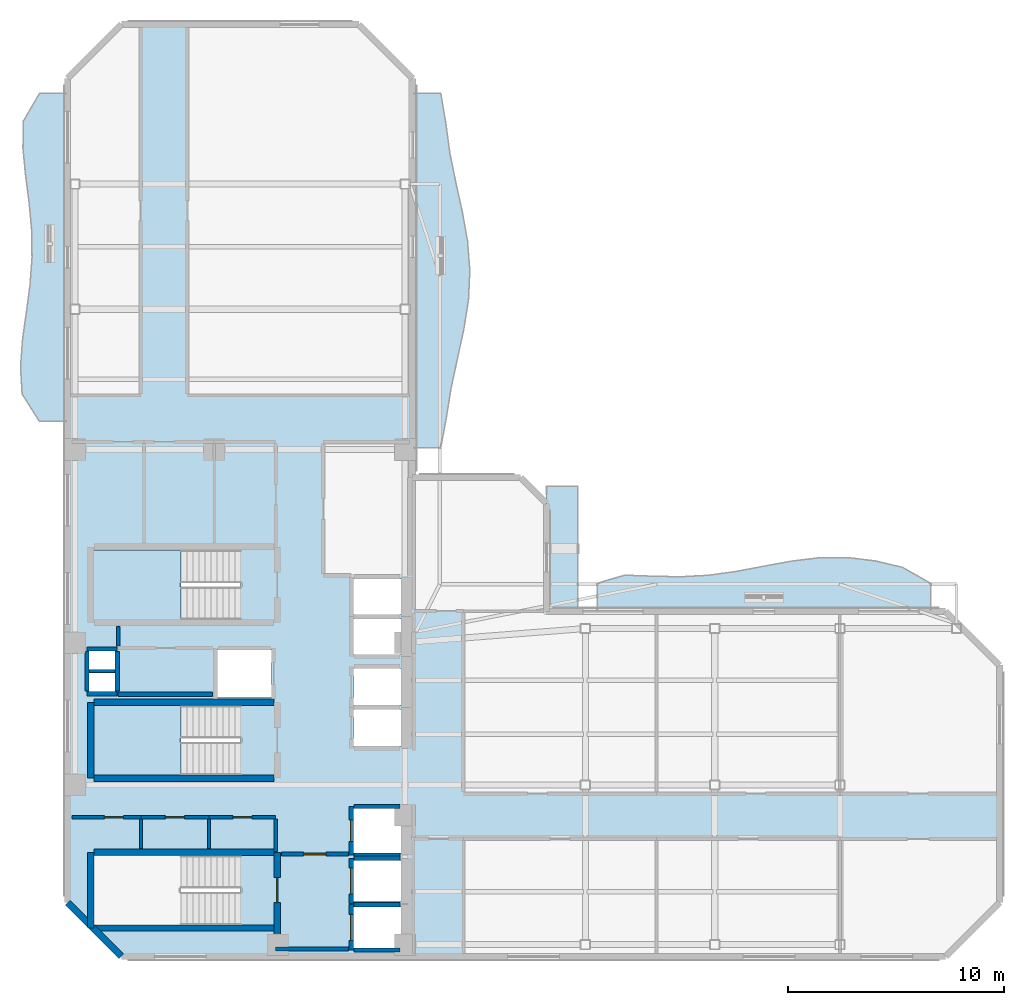
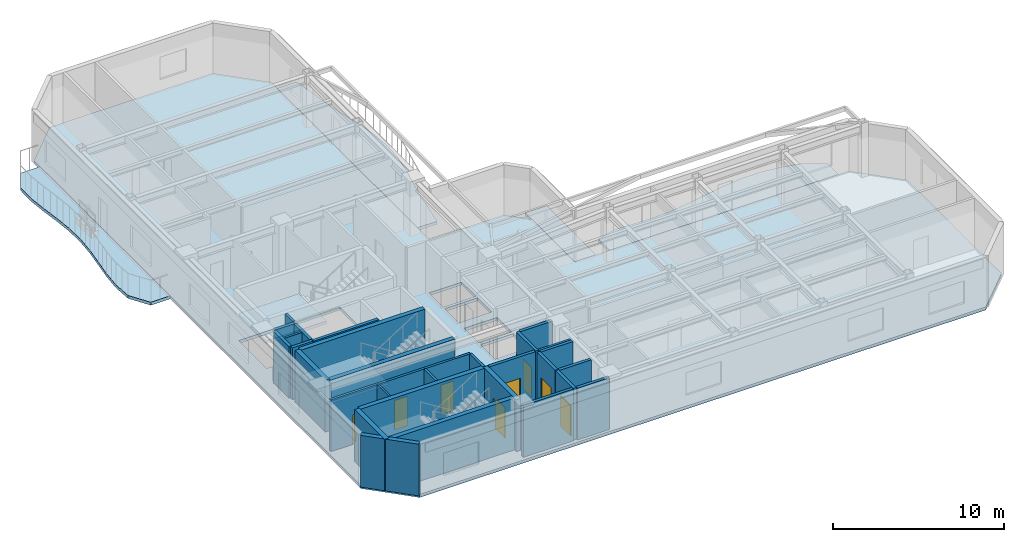
# One storey, part 2 of 11: 31 walls, 8 doors, 7 slabs, 8 openings, 2 elements without a shape of their own.
"""IFC4 building model written with IfcOpenShell, lengths in metres."""

from ifc_helpers import new_model, si_unit, direction, frame, frame_2d, origin, place, context, subcontext, project, spatial, polyline, rectangle, outline, extrude, material, layer, layer_set, type_object, element, fill, aggregate, save


model = new_model("IFC4")

# Units and contexts
model_context = context("Model", 3, precision=1e-05, world=origin(), true_north=direction((0.0, 1.0)))
body_context = subcontext(model_context, "Body", "Model", "MODEL_VIEW")
ifc_project = project(units=[si_unit("LENGTHUNIT", "METRE"), si_unit("AREAUNIT", "SQUARE_METRE"), si_unit("VOLUMEUNIT", "CUBIC_METRE"), si_unit("PLANEANGLEUNIT", "RADIAN"), si_unit("MASSUNIT", "GRAM", prefix="KILO")], contexts=[model_context])

# Site, building, storey
site_placement = place(None, origin())
site = spatial("IfcSite", under=ifc_project, at=site_placement, CompositionType="ELEMENT")
building_placement = place(site_placement, origin())
building = spatial("IfcBuilding", under=site, at=building_placement, Name="Mawjaban Terraces University", CompositionType="ELEMENT")
storey_placement = place(building_placement, frame((0.0, 0.0, 214.800048828125)))
storey = spatial("IfcBuildingStorey", under=building, at=storey_placement, Name="L52", CompositionType="ELEMENT", Elevation=214.800048828125)

# Slabs
ifc_material_1 = material(Name="Concrete C40/50", Category="concrete")
ifc_layer_1 = layer(ifc_material_1, 0.2099609375)
ifc_layer_set_1 = layer_set([ifc_layer_1], Name="Concrete C40/50")
slab_type_1 = type_object("IfcSlabType", Name="BalconySlab_210_Ext", PredefinedType="FLOOR", material=ifc_layer_set_1)
slab_1_placement = place(storey_placement, frame((0.0, 0.0, -0.2099609375)))
element("IfcSlab", 1, at=slab_1_placement, inside=storey, type_object=slab_type_1, Name="L52 Planted Balcony Slab west", PredefinedType="FLOOR", context=body_context, shape_type="SweptSolid", body=[
    extrude(outline(polyline([(22.010009765625, 24.800048828125), (22.010009765625, 40.0), (20.699951171875, 40.0), (19.95703125, 38.73291015625), (19.93505859375, 37.467041015625), (20.056884765625, 36.199951171875), (20.219970703125, 34.93310546875), (20.337890625, 33.6669921875), (20.35595703125, 32.39990234375), (20.262939453125, 31.133056640625), (20.093017578125, 29.866943359375), (19.9169921875, 28.60009765625), (19.822021484375, 27.3330078125), (19.89697265625, 26.06689453125), (20.699951171875, 24.800048828125), (22.010009765625, 24.800048828125)])), origin(), (0.0, 0.0, 1.0), 0.2099609375),
])
slab_2_placement = place(storey_placement, frame((0.0, 0.0, -0.2099609375)))
element("IfcSlab", 2, at=slab_2_placement, inside=storey, type_object=slab_type_1, Name="L52 Planted Balcony Slab inner_north", PredefinedType="FLOOR", context=body_context, shape_type="SweptSolid", body=[
    extrude(outline(polyline([(46.550048828125, 15.989990234375), (62.0, 15.989990234375), (62.0, 17.300048828125), (60.7119140625, 18.033935546875), (59.425048828125, 18.3359375), (58.137939453125, 18.489990234375), (56.85009765625, 18.47998046875), (55.56201171875, 18.326904296875), (54.27490234375, 18.089111328125), (52.987060546875, 17.845947265625), (51.699951171875, 17.6689453125), (50.412109375, 17.60009765625), (49.125, 17.625), (47.8369140625, 17.673095703125), (46.550048828125, 17.300048828125), (46.550048828125, 15.989990234375)])), origin(), (0.0, 0.0, 1.0), 0.2099609375),
])
slab_3_placement = place(storey_placement, frame((0.0, 0.0, -0.2099609375)))
element("IfcSlab", 3, at=slab_3_placement, inside=storey, type_object=slab_type_1, Name="L52 Planted Balcony Slab inner_east", PredefinedType="FLOOR", context=body_context, shape_type="SweptSolid", body=[
    extrude(outline(polyline([(39.300048828125, 23.5830078125), (39.554931640625, 24.950927734375), (39.77294921875, 26.319091796875), (40.06591796875, 27.68701171875), (40.364990234375, 29.054931640625), (40.5830078125, 30.423095703125), (40.64794921875, 31.791015625), (40.541015625, 33.159912109375), (40.2958984375, 34.528076171875), (39.991943359375, 35.89599609375), (39.718017578125, 37.263916015625), (39.531982421875, 38.632080078125), (39.300048828125, 40.0), (37.989990234375, 40.0), (37.989990234375, 23.5830078125), (39.300048828125, 23.5830078125)])), origin(), (0.0, 0.0, 1.0), 0.2099609375),
])
ifc_layer_2 = layer(ifc_material_1, 0.2099609375)
ifc_layer_set_2 = layer_set([ifc_layer_2], Name="Concrete C40/50")
slab_type_2 = type_object("IfcSlabType", Name="CompositeSlab_210", PredefinedType="FLOOR", material=ifc_layer_set_2)
slab_4_placement = place(storey_placement, frame((0.0, 0.0, -0.2099609375)))
element("IfcSlab", 4, at=slab_4_placement, inside=storey, type_object=slab_type_2, Name="L52 Primary Structural Slab", PredefinedType="FLOOR", context=body_context, shape_type="SweptSolid", body=[
    extrude(outline(polyline([(24.5, 0.0), (62.699951171875, 0.0), (65.199951171875, 2.5), (65.199951171875, 13.5), (62.699951171875, 16.0), (44.199951171875, 16.0), (44.199951171875, 21.0), (43.0, 22.199951171875), (38.0, 22.199951171875), (38.0, 40.699951171875), (35.5, 43.199951171875), (24.5, 43.199951171875), (22.0, 40.699951171875), (22.0, 2.5), (24.5, 0.0)]), holes=[polyline([(30.014892578125, 4.699951171875), (23.199951171875, 4.699951171875), (23.199951171875, 1.449951171875), (30.014892578125, 1.449951171875), (30.014892578125, 4.699951171875)]), polyline([(30.014892578125, 18.85009765625), (23.199951171875, 18.85009765625), (23.199951171875, 15.60009765625), (30.014892578125, 15.60009765625), (30.014892578125, 18.85009765625)]), polyline([(30.014892578125, 11.64990234375), (23.199951171875, 11.64990234375), (23.199951171875, 8.39990234375), (30.014892578125, 8.39990234375), (30.014892578125, 11.64990234375)]), polyline([(35.25, 0.39990234375), (37.449951171875, 0.39990234375), (37.449951171875, 2.300048828125), (35.25, 2.300048828125), (35.25, 0.39990234375)]), polyline([(35.25, 2.550048828125), (37.449951171875, 2.550048828125), (37.449951171875, 4.449951171875), (35.25, 4.449951171875), (35.25, 2.550048828125)]), polyline([(35.25, 4.800048828125), (37.449951171875, 4.800048828125), (37.449951171875, 6.85009765625), (35.25, 6.85009765625), (35.25, 4.800048828125)]), polyline([(35.25, 9.75), (37.449951171875, 9.75), (37.449951171875, 11.449951171875), (35.25, 11.449951171875), (35.25, 9.75)]), polyline([(35.25, 11.64990234375), (37.449951171875, 11.64990234375), (37.449951171875, 13.35009765625), (35.25, 13.35009765625), (35.25, 11.64990234375)]), polyline([(28.949951171875, 12.0), (31.449951171875, 12.0), (31.449951171875, 14.199951171875), (28.949951171875, 14.199951171875), (28.949951171875, 12.0)]), polyline([(35.25, 14.0), (37.449951171875, 14.0), (37.449951171875, 15.64990234375), (35.25, 15.64990234375), (35.25, 14.0)]), polyline([(35.25, 15.85009765625), (37.449951171875, 15.85009765625), (37.449951171875, 17.5), (35.25, 17.5), (35.25, 15.85009765625)]), polyline([(23.0, 12.25), (24.199951171875, 12.25), (24.199951171875, 13.14990234375), (23.0, 13.14990234375), (23.0, 12.25)]), polyline([(23.0, 13.300048828125), (24.199951171875, 13.300048828125), (24.199951171875, 14.179931640625), (23.0, 14.179931640625), (23.0, 13.300048828125)])]), origin(), (0.0, 0.0, 1.0), 0.2099609375),
])

# Stair, slab
stair_type = type_object("IfcStairType", Name="Stair_Core1550_H39", PredefinedType="HALF_TURN_STAIR", material=ifc_material_1)
stair_1_placement = place(storey_placement, origin())
stair_1 = element("IfcStair", 5, at=stair_1_placement, inside=storey, type_object=stair_type, Name="L52 Core Exit Stair 2", PredefinedType="HALF_TURN_STAIR")
ifc_layer_3 = layer(ifc_material_1, 0.199951171875)
ifc_layer_set_3 = layer_set([ifc_layer_3], Name="Concrete C40/50")
slab_type_3 = type_object("IfcSlabType", Name="StairLandingSlab_200", PredefinedType="LANDING", material=ifc_layer_set_3)
slab_5_placement = place(storey_placement, frame((0.0, 0.0, 1.75)))
slab_5 = element("IfcSlab", 6, at=slab_5_placement, type_object=slab_type_3, Name="ST-2 landing 1", PredefinedType="LANDING", context=body_context, shape_type="SweptSolid", body=[
    extrude(outline(polyline([(27.25, 18.85009765625), (23.199951171875, 18.85009765625), (23.199951171875, 15.60009765625), (27.25, 15.60009765625), (27.25, 18.85009765625)])), origin(), (0.0, 0.0, 1.0), 0.199951171875),
])
aggregate(stair_1, [slab_5])

stair_2_placement = place(storey_placement, origin())
stair_2 = element("IfcStair", 7, at=stair_2_placement, inside=storey, type_object=stair_type, Name="L52 Core Exit Stair 3", PredefinedType="HALF_TURN_STAIR")
slab_6_placement = place(storey_placement, frame((0.0, 0.0, 1.75)))
slab_6 = element("IfcSlab", 8, at=slab_6_placement, type_object=slab_type_3, Name="ST-3 landing 1", PredefinedType="LANDING", context=body_context, shape_type="SweptSolid", body=[
    extrude(outline(polyline([(27.25, 11.64990234375), (23.199951171875, 11.64990234375), (23.199951171875, 8.39990234375), (27.25, 8.39990234375), (27.25, 11.64990234375)])), origin(), (0.0, 0.0, 1.0), 0.199951171875),
])
aggregate(stair_2, [slab_6])

# Slab
ifc_layer_4 = layer(ifc_material_1, 0.2099609375)
ifc_layer_set_4 = layer_set([ifc_layer_4], Name="Concrete C40/50")
slab_type_4 = type_object("IfcSlabType", Name="StudyTerraceSlab_210_Ext", PredefinedType="FLOOR", material=ifc_layer_set_4)
slab_7_placement = place(storey_placement, frame((0.0, 0.0, -0.2099609375)))
element("IfcSlab", 9, at=slab_7_placement, inside=storey, type_object=slab_type_4, Name="L52 Exterior Study Terrace Slab", PredefinedType="FLOOR", context=body_context, shape_type="SweptSolid", body=[
    extrude(outline(polyline([(44.199951171875, 16.0), (45.64990234375, 16.0), (45.64990234375, 21.800048828125), (44.199951171875, 21.800048828125), (44.199951171875, 16.0)])), origin(), (0.0, 0.0, 1.0), 0.2099609375),
])

# Wall, opening, door
ifc_material_2 = material(Name="Fire-rated gypsum board on steel stud", Category="steel")
ifc_layer_5 = layer(ifc_material_2, 0.159912109375)
ifc_layer_set_5 = layer_set([ifc_layer_5], Name="Fire-rated gypsum board on steel stud")
wall_type_1 = type_object("IfcWallType", Name="CorridorPartition_160", PredefinedType="PARTITIONING", material=ifc_layer_set_5)
wall_1_placement = place(storey_placement, frame((22.199951171875, 6.449951171875, 0.0), z_axis=(0.0, 0.0, 1.0), x_axis=(1.0, 0.0, 0.0)))
wall_1 = element("IfcWall", 10, at=wall_1_placement, inside=storey, type_object=wall_type_1, Name="L52 Core Washroom Lobby Partition 1", PredefinedType="PARTITIONING", context=body_context, shape_type="SweptSolid", body=[
    extrude(rectangle(XDim=3.199951171875, YDim=0.159912109375, at=frame_2d((1.60009765625, 0.0))), origin(), (0.0, 0.0, 1.0), 3.68994140625),
])
opening_1_placement = place(wall_1_placement, frame((1.510009765625, 0.0, 0.0)))
opening_1 = element("IfcOpeningElement", 11, at=opening_1_placement, cuts=wall_1, Name="Opening ID-088", PredefinedType="OPENING", context=body_context, shape_type="SweptSolid", body=[
    extrude(rectangle(XDim=0.8798828125, YDim=2.10009765625, at=frame_2d((0.43994140625, 1.050048828125))), frame((0.0, 0.08984375, 0.0), z_axis=(0.0, -1.0, 0.0), x_axis=(1.0, 0.0, 0.0)), (0.0, 0.0, 1.0), 0.179931640625),
])
ifc_material_3 = material(Name="Powder-coated steel frame and solid acoustic timber leaf", Category="steel")
door_type_1 = type_object("IfcDoorType", Name="ToiletDoor_880x2100", OperationType="NOTDEFINED", PredefinedType="DOOR", material=ifc_material_3)
door_1_placement = place(opening_1_placement, origin())
door_1 = element("IfcDoor", 12, at=door_1_placement, inside=storey, type_object=door_type_1, Name="L52 Male Toilet Door", OperationType="SINGLE_SWING_LEFT", OverallHeight=2.10009765625, OverallWidth=0.8798828125, PredefinedType="DOOR", context=body_context, shape_type="SweptSolid", body=[
    extrude(rectangle(XDim=0.8798828125, YDim=2.10009765625, at=frame_2d((0.43994140625, 1.050048828125))), frame((0.0, 0.02490234375, 0.0), z_axis=(0.0, -1.0, 0.0), x_axis=(1.0, 0.0, 0.0)), (0.0, 0.0, 1.0), 0.050048828125),
])
fill(opening_1, door_1)

wall_2_placement = place(storey_placement, frame((25.39990234375, 6.449951171875, 0.0), z_axis=(0.0, 0.0, 1.0), x_axis=(1.0, 0.0, 0.0)))
wall_2 = element("IfcWall", 13, at=wall_2_placement, inside=storey, type_object=wall_type_1, Name="L52 Core Washroom Lobby Partition 4", PredefinedType="PARTITIONING", context=body_context, shape_type="SweptSolid", body=[
    extrude(rectangle(XDim=3.150146484375, YDim=0.159912109375, at=frame_2d((1.5751953125, 0.0))), origin(), (0.0, 0.0, 1.0), 3.68994140625),
])
opening_2_placement = place(wall_2_placement, frame((1.135009765625, 0.0, 0.0)))
opening_2 = element("IfcOpeningElement", 14, at=opening_2_placement, cuts=wall_2, Name="Opening ID-088", PredefinedType="OPENING", context=body_context, shape_type="SweptSolid", body=[
    extrude(rectangle(XDim=0.8798828125, YDim=2.10009765625, at=frame_2d((0.43994140625, 1.050048828125))), frame((0.0, 0.08984375, 0.0), z_axis=(0.0, -1.0, 0.0), x_axis=(1.0, 0.0, 0.0)), (0.0, 0.0, 1.0), 0.179931640625),
])
door_2_placement = place(opening_2_placement, origin())
door_2 = element("IfcDoor", 15, at=door_2_placement, inside=storey, type_object=door_type_1, Name="L52 Female Toilet Door", OperationType="SINGLE_SWING_RIGHT", OverallHeight=2.10009765625, OverallWidth=0.8798828125, PredefinedType="DOOR", context=body_context, shape_type="SweptSolid", body=[
    extrude(rectangle(XDim=0.8798828125, YDim=2.10009765625, at=frame_2d((0.43994140625, 1.050048828125))), frame((0.0, 0.02490234375, 0.0), z_axis=(0.0, -1.0, 0.0), x_axis=(1.0, 0.0, 0.0)), (0.0, 0.0, 1.0), 0.050048828125),
])
fill(opening_2, door_2)

wall_3_placement = place(storey_placement, frame((28.550048828125, 6.449951171875, 0.0), z_axis=(0.0, 0.0, 1.0), x_axis=(1.0, 0.0, 0.0)))
wall_3 = element("IfcWall", 16, at=wall_3_placement, inside=storey, type_object=wall_type_1, Name="L52 Core Washroom Lobby Partition 7", PredefinedType="PARTITIONING", context=body_context, shape_type="SweptSolid", body=[
    extrude(rectangle(XDim=3.099853515625, YDim=0.159912109375, at=frame_2d((1.5498046875, 0.0))), origin(), (0.0, 0.0, 1.0), 3.68994140625),
])
opening_3_placement = place(wall_3_placement, frame((1.110107421875, 0.0, 0.0)))
opening_3 = element("IfcOpeningElement", 17, at=opening_3_placement, cuts=wall_3, Name="Opening ID-088", PredefinedType="OPENING", context=body_context, shape_type="SweptSolid", body=[
    extrude(rectangle(XDim=0.8798828125, YDim=2.10009765625, at=frame_2d((0.43994140625, 1.050048828125))), frame((0.0, 0.08984375, 0.0), z_axis=(0.0, -1.0, 0.0), x_axis=(1.0, 0.0, 0.0)), (0.0, 0.0, 1.0), 0.179931640625),
])
door_3_placement = place(opening_3_placement, origin())
door_3 = element("IfcDoor", 18, at=door_3_placement, inside=storey, type_object=door_type_1, Name="L52 Accessible Toilet Door", OperationType="SINGLE_SWING_LEFT", OverallHeight=2.10009765625, OverallWidth=0.8798828125, PredefinedType="DOOR", context=body_context, shape_type="SweptSolid", body=[
    extrude(rectangle(XDim=0.8798828125, YDim=2.10009765625, at=frame_2d((0.43994140625, 1.050048828125))), frame((0.0, 0.02490234375, 0.0), z_axis=(0.0, -1.0, 0.0), x_axis=(1.0, 0.0, 0.0)), (0.0, 0.0, 1.0), 0.050048828125),
])
fill(opening_3, door_3)

# Walls
wall_4_placement = place(storey_placement, frame((24.35009765625, 15.2900390625, 0.0), z_axis=(0.0, 0.0, 1.0), x_axis=(0.0, -1.0, 0.0)))
element("IfcWall", 19, at=wall_4_placement, inside=storey, type_object=wall_type_1, Name="L52 Core Riser Access Passage Partition 24", PredefinedType="PARTITIONING", context=body_context, shape_type="SweptSolid", body=[
    extrude(rectangle(XDim=0.89501953125, YDim=0.159912109375, at=frame_2d((0.447509765625, 0.0))), origin(), (0.0, 0.0, 1.0), 3.68994140625),
])
wall_5_placement = place(storey_placement, frame((31.64990234375, 4.860107421875, 0.0), z_axis=(0.0, 0.0, 1.0), x_axis=(0.0, 1.0, 0.0)))
element("IfcWall", 20, at=wall_5_placement, inside=storey, type_object=wall_type_1, Name="L52 Accessible Toilet Partition 31", PredefinedType="PARTITIONING", context=body_context, shape_type="SweptSolid", body=[
    extrude(rectangle(XDim=1.514892578125, YDim=0.159912109375, at=frame_2d((0.75732421875, 0.0))), origin(), (0.0, 0.0, 1.0), 3.68994140625),
])
ifc_material_4 = material(Name="Insulated terracotta rainscreen on concrete backup C40/50", Category="masonry")
ifc_layer_6 = layer(ifc_material_4, 0.300048828125)
ifc_layer_set_6 = layer_set([ifc_layer_6], Name="Insulated terracotta rainscreen on concrete backup C40/50")
wall_type_2 = type_object("IfcWallType", Name="ExtTerracottaWall_300", PredefinedType="SOLIDWALL", material=ifc_layer_set_6)
wall_6_placement = place(storey_placement, frame((22.0, 2.5, 0.0), z_axis=(0.0, 0.0, 1.0), x_axis=(0.707106781187, -0.707106781187, 0.0)))
element("IfcWall", 21, at=wall_6_placement, inside=storey, type_object=wall_type_2, Name="L52 Exterior Terracotta Wall 14", PredefinedType="SOLIDWALL", context=body_context, shape_type="SweptSolid", body=[
    extrude(rectangle(XDim=3.53564453125, YDim=0.300048828125, at=frame_2d((1.767822265625, 0.0))), origin(), (0.0, 0.0, 1.0), 3.68994140625),
])

# Wall, opening, door
ifc_layer_7 = layer(ifc_material_1, 0.199951171875)
ifc_layer_set_7 = layer_set([ifc_layer_7], Name="Concrete C40/50")
wall_type_3 = type_object("IfcWallType", Name="FireLobbyWall_200", PredefinedType="SOLIDWALL", material=ifc_layer_set_7)
wall_7_placement = place(storey_placement, frame((35.14990234375, 2.39990234375, 0.0), z_axis=(0.0, 0.0, 1.0), x_axis=(0.0, -1.0, 0.0)))
wall_7 = element("IfcWall", 22, at=wall_7_placement, inside=storey, type_object=wall_type_3, Name="L52 Lift FL-1 Hoistway Wall West", PredefinedType="SOLIDWALL", context=body_context, shape_type="SweptSolid", body=[
    extrude(rectangle(XDim=2.099853515625, YDim=0.199951171875, at=frame_2d((1.0498046875, 0.0))), origin(), (0.0, 0.0, 1.0), 3.68994140625),
])
opening_4_placement = place(wall_7_placement, frame((0.449951171875, 0.0, 0.0)))
opening_4 = element("IfcOpeningElement", 23, at=opening_4_placement, cuts=wall_7, Name="Opening LD-FL-1", PredefinedType="OPENING", context=body_context, shape_type="SweptSolid", body=[
    extrude(rectangle(XDim=1.199951171875, YDim=2.14990234375, at=frame_2d((0.60009765625, 1.074951171875))), frame((0.0, 0.10986328125, 0.0), z_axis=(0.0, -1.0, 0.0), x_axis=(1.0, 0.0, 0.0)), (0.0, 0.0, 1.0), 0.219970703125),
])
ifc_material_5 = material(Name="Powder-coated steel frame and fire-rated steel-faced leaf", Category="steel")
door_type_2 = type_object("IfcDoorType", Name="LiftLandingFSAE_1200x2150", OperationType="NOTDEFINED", PredefinedType="DOOR", material=ifc_material_5)
door_4_placement = place(opening_4_placement, origin())
door_4 = element("IfcDoor", 24, at=door_4_placement, inside=storey, type_object=door_type_2, Name="L52 Lift FL-1 Sliding Landing Door", OperationType="DOUBLE_DOOR_SLIDING", OverallHeight=2.14990234375, OverallWidth=1.199951171875, PredefinedType="DOOR", context=body_context, shape_type="SweptSolid", body=[
    extrude(rectangle(XDim=1.199951171875, YDim=2.14990234375, at=frame_2d((0.60009765625, 1.074951171875))), frame((0.0, 0.02490234375, 0.0), z_axis=(0.0, -1.0, 0.0), x_axis=(1.0, 0.0, 0.0)), (0.0, 0.0, 1.0), 0.050048828125),
])
fill(opening_4, door_4)

# Walls
for number, where, z_axis, x_axis, name in (
    (25, (35.280029296875, 0.300048828125, 0.0), (0.0, 0.0, 1.0), (1.0, 0.0, 0.0), "L52 Lift FL-1 Hoistway Wall South"),
    (26, (37.419921875, 2.39990234375, 0.0), (0.0, 0.0, 1.0), (-1.0, 0.0, 0.0), "L52 Lift FL-1 Hoistway Wall North"),
):
    element("IfcWall", number, at=place(storey_placement, frame(where, z_axis=z_axis, x_axis=x_axis)), inside=storey, type_object=wall_type_3, Name=name, PredefinedType="SOLIDWALL", context=body_context, shape_type="SweptSolid", body=[
        extrude(rectangle(XDim=2.139892578125, YDim=0.199951171875, at=frame_2d((1.06982421875, 0.0))), origin(), (0.0, 0.0, 1.0), 3.68994140625),
    ])

# Wall, opening, door
wall_8_placement = place(storey_placement, frame((35.14990234375, 4.550048828125, 0.0), z_axis=(0.0, 0.0, 1.0), x_axis=(0.0, -1.0, 0.0)))
wall_8 = element("IfcWall", 27, at=wall_8_placement, inside=storey, type_object=wall_type_3, Name="L52 Lift FL-2 Hoistway Wall West", PredefinedType="SOLIDWALL", context=body_context, shape_type="SweptSolid", body=[
    extrude(rectangle(XDim=2.10009765625, YDim=0.199951171875, at=frame_2d((1.050048828125, 0.0))), origin(), (0.0, 0.0, 1.0), 3.68994140625),
])
opening_5_placement = place(wall_8_placement, frame((0.449951171875, 0.0, 0.0)))
opening_5 = element("IfcOpeningElement", 28, at=opening_5_placement, cuts=wall_8, Name="Opening LD-FL-2", PredefinedType="OPENING", context=body_context, shape_type="SweptSolid", body=[
    extrude(rectangle(XDim=1.199951171875, YDim=2.14990234375, at=frame_2d((0.60009765625, 1.074951171875))), frame((0.0, 0.10986328125, 0.0), z_axis=(0.0, -1.0, 0.0), x_axis=(1.0, 0.0, 0.0)), (0.0, 0.0, 1.0), 0.219970703125),
])
door_5_placement = place(opening_5_placement, origin())
door_5 = element("IfcDoor", 29, at=door_5_placement, inside=storey, type_object=door_type_2, Name="L52 Lift FL-2 Sliding Landing Door", OperationType="DOUBLE_DOOR_SLIDING", OverallHeight=2.14990234375, OverallWidth=1.199951171875, PredefinedType="DOOR", context=body_context, shape_type="SweptSolid", body=[
    extrude(rectangle(XDim=1.199951171875, YDim=2.14990234375, at=frame_2d((0.60009765625, 1.074951171875))), frame((0.0, 0.02490234375, 0.0), z_axis=(0.0, -1.0, 0.0), x_axis=(1.0, 0.0, 0.0)), (0.0, 0.0, 1.0), 0.050048828125),
])
fill(opening_5, door_5)

# Wall
wall_9_placement = place(storey_placement, frame((37.419921875, 4.550048828125, 0.0), z_axis=(0.0, 0.0, 1.0), x_axis=(-1.0, 0.0, 0.0)))
element("IfcWall", 30, at=wall_9_placement, inside=storey, type_object=wall_type_3, Name="L52 Lift FL-2 Hoistway Wall North", PredefinedType="SOLIDWALL", context=body_context, shape_type="SweptSolid", body=[
    extrude(rectangle(XDim=2.139892578125, YDim=0.199951171875, at=frame_2d((1.06982421875, 0.0))), origin(), (0.0, 0.0, 1.0), 3.68994140625),
])

# Wall, opening, door
wall_10_placement = place(storey_placement, frame((35.14990234375, 6.949951171875, 0.0), z_axis=(0.0, 0.0, 1.0), x_axis=(0.0, -1.0, 0.0)))
wall_10 = element("IfcWall", 31, at=wall_10_placement, inside=storey, type_object=wall_type_3, Name="L52 Lift SL-1 Hoistway Wall West", PredefinedType="SOLIDWALL", context=body_context, shape_type="SweptSolid", body=[
    extrude(rectangle(XDim=2.25, YDim=0.199951171875, at=frame_2d((1.125, 0.0))), origin(), (0.0, 0.0, 1.0), 3.68994140625),
])
opening_6_placement = place(wall_10_placement, frame((0.625, 0.0, 0.0)))
opening_6 = element("IfcOpeningElement", 32, at=opening_6_placement, cuts=wall_10, Name="Opening LD-SL-1", PredefinedType="OPENING", context=body_context, shape_type="SweptSolid", body=[
    extrude(rectangle(XDim=1.0, YDim=2.10009765625, at=frame_2d((0.5, 1.050048828125))), frame((0.0, 0.10986328125, 0.0), z_axis=(0.0, -1.0, 0.0), x_axis=(1.0, 0.0, 0.0)), (0.0, 0.0, 1.0), 0.219970703125),
])
door_type_3 = type_object("IfcDoorType", Name="LiftLandingSliding_1000x2100", OperationType="NOTDEFINED", PredefinedType="DOOR", material=ifc_material_5)
door_6_placement = place(opening_6_placement, origin())
door_6 = element("IfcDoor", 33, at=door_6_placement, inside=storey, type_object=door_type_3, Name="L52 Lift SL-1 Sliding Landing Door", OperationType="DOUBLE_DOOR_SLIDING", OverallHeight=2.10009765625, OverallWidth=1.0, PredefinedType="DOOR", context=body_context, shape_type="SweptSolid", body=[
    extrude(rectangle(XDim=1.0, YDim=2.10009765625, at=frame_2d((0.5, 1.050048828125))), frame((0.0, 0.02490234375, 0.0), z_axis=(0.0, -1.0, 0.0), x_axis=(1.0, 0.0, 0.0)), (0.0, 0.0, 1.0), 0.050048828125),
])
fill(opening_6, door_6)

# Walls
for number, where, z_axis, x_axis, name in (
    (34, (35.280029296875, 4.699951171875, 0.0), (0.0, 0.0, 1.0), (1.0, 0.0, 0.0), "L52 Lift SL-1 Hoistway Wall South"),
    (35, (37.419921875, 6.949951171875, 0.0), (0.0, 0.0, 1.0), (-1.0, 0.0, 0.0), "L52 Lift SL-1 Hoistway Wall North"),
):
    element("IfcWall", number, at=place(storey_placement, frame(where, z_axis=z_axis, x_axis=x_axis)), inside=storey, type_object=wall_type_3, Name=name, PredefinedType="SOLIDWALL", context=body_context, shape_type="SweptSolid", body=[
        extrude(rectangle(XDim=2.139892578125, YDim=0.199951171875, at=frame_2d((1.06982421875, 0.0))), origin(), (0.0, 0.0, 1.0), 3.68994140625),
    ])
for number, where, z_axis, x_axis, name in (
    (36, (22.89990234375, 14.25, 0.0), (0.0, 0.0, 1.0), (1.0, 0.0, 0.0), "L52 MEP Riser Shaft Wall N"),
    (37, (22.89990234375, 12.179931640625, 0.0), (0.0, 0.0, 1.0), (1.0, 0.0, 0.0), "L52 MEP Riser Shaft Wall S"),
):
    element("IfcWall", number, at=place(storey_placement, frame(where, z_axis=z_axis, x_axis=x_axis)), inside=storey, type_object=wall_type_3, Name=name, PredefinedType="SOLIDWALL", context=body_context, shape_type="SweptSolid", body=[
        extrude(rectangle(XDim=1.400146484375, YDim=0.199951171875, at=frame_2d((0.7001953125, 0.0))), origin(), (0.0, 0.0, 1.0), 3.68994140625),
    ])
for number, where, z_axis, x_axis, name in (
    (38, (24.300048828125, 12.300048828125, 0.0), (0.0, 0.0, 1.0), (0.0, 1.0, 0.0), "L52 MEP Riser Shaft Wall E"),
    (39, (22.89990234375, 12.300048828125, 0.0), (0.0, 0.0, 1.0), (0.0, 1.0, 0.0), "L52 MEP Riser Shaft Wall W"),
):
    element("IfcWall", number, at=place(storey_placement, frame(where, z_axis=z_axis, x_axis=x_axis)), inside=storey, type_object=wall_type_3, Name=name, PredefinedType="SOLIDWALL", context=body_context, shape_type="SweptSolid", body=[
        extrude(rectangle(XDim=1.829833984375, YDim=0.199951171875, at=frame_2d((0.9150390625, 0.0))), origin(), (0.0, 0.0, 1.0), 3.68994140625),
    ])
wall_11_placement = place(storey_placement, frame((24.35009765625, 12.14990234375, 0.0), z_axis=(0.0, 0.0, 1.0), x_axis=(1.0, 0.0, 0.0)))
element("IfcWall", 40, at=wall_11_placement, inside=storey, type_object=wall_type_3, Name="L52 IT and Telecoms Riser Room Partition 2", PredefinedType="SOLIDWALL", context=body_context, shape_type="SweptSolid", body=[
    extrude(rectangle(XDim=4.369873046875, YDim=0.199951171875, at=frame_2d((2.18505859375, 0.0))), origin(), (0.0, 0.0, 1.0), 3.68994140625),
])
wall_12_placement = place(storey_placement, frame((31.64990234375, 0.35009765625, 0.0), z_axis=(0.0, 0.0, 1.0), x_axis=(1.0, 0.0, 0.0)))
element("IfcWall", 41, at=wall_12_placement, inside=storey, type_object=wall_type_3, Name="L52 Firefighting Lift Lobby Partition 9", PredefinedType="SOLIDWALL", context=body_context, shape_type="SweptSolid", body=[
    extrude(rectangle(XDim=3.3701171875, YDim=0.199951171875, at=frame_2d((1.68505859375, 0.0))), origin(), (0.0, 0.0, 1.0), 3.68994140625),
])

# Wall, opening, door
wall_13_placement = place(storey_placement, frame((35.02001953125, 4.75, 0.0), z_axis=(0.0, 0.0, 1.0), x_axis=(-1.0, 0.0, 0.0)))
wall_13 = element("IfcWall", 42, at=wall_13_placement, inside=storey, type_object=wall_type_3, Name="L52 Firefighting Lift Lobby Partition 12", PredefinedType="SOLIDWALL", context=body_context, shape_type="SweptSolid", body=[
    extrude(rectangle(XDim=3.110107421875, YDim=0.199951171875, at=frame_2d((1.55517578125, 0.0))), origin(), (0.0, 0.0, 1.0), 3.68994140625),
])
opening_7_placement = place(wall_13_placement, frame((1.030029296875, 0.0, 0.0)))
opening_7 = element("IfcOpeningElement", 43, at=opening_7_placement, cuts=wall_13, Name="Opening FD-105", PredefinedType="OPENING", context=body_context, shape_type="SweptSolid", body=[
    extrude(rectangle(XDim=1.050048828125, YDim=2.14990234375, at=frame_2d((0.52490234375, 1.074951171875))), frame((0.0, 0.10986328125, 0.0), z_axis=(0.0, -1.0, 0.0), x_axis=(1.0, 0.0, 0.0)), (0.0, 0.0, 1.0), 0.219970703125),
])
door_type_4 = type_object("IfcDoorType", Name="FireLobbyDoor_1050x2150", OperationType="NOTDEFINED", PredefinedType="DOOR", material=ifc_material_5)
door_7_placement = place(opening_7_placement, origin())
door_7 = element("IfcDoor", 44, at=door_7_placement, inside=storey, type_object=door_type_4, Name="L52 Firefighting Lift Lobby Door", OperationType="SINGLE_SWING_RIGHT", OverallHeight=2.14990234375, OverallWidth=1.050048828125, PredefinedType="DOOR", context=body_context, shape_type="SweptSolid", body=[
    extrude(rectangle(XDim=1.050048828125, YDim=2.14990234375, at=frame_2d((0.52490234375, 1.074951171875))), frame((0.0, 0.02490234375, 0.0), z_axis=(0.0, -1.0, 0.0), x_axis=(1.0, 0.0, 0.0)), (0.0, 0.0, 1.0), 0.050048828125),
])
fill(opening_7, door_7)

# Walls
ifc_material_6 = material(Name="Moisture-resistant gypsum board on steel stud", Category="steel")
ifc_layer_8 = layer(ifc_material_6, 0.14501953125)
ifc_layer_set_8 = layer_set([ifc_layer_8], Name="Moisture-resistant gypsum board on steel stud")
wall_type_4 = type_object("IfcWallType", Name="LabPartition_145", PredefinedType="PARTITIONING", material=ifc_layer_set_8)
wall_14_placement = place(storey_placement, frame((23.010009765625, 13.22509765625, 0.0), z_axis=(0.0, 0.0, 1.0), x_axis=(1.0, 0.0, 0.0)))
element("IfcWall", 45, at=wall_14_placement, inside=storey, type_object=wall_type_4, Name="L52 MEP Riser Shaft Wall M", PredefinedType="PARTITIONING", context=body_context, shape_type="SweptSolid", body=[
    extrude(rectangle(XDim=1.179931640625, YDim=0.14501953125, at=frame_2d((0.58984375, 0.0))), origin(), (0.0, 0.0, 1.0), 3.68994140625),
])
ifc_material_7 = material(Name="Concrete C60/75", Category="concrete")
ifc_layer_9 = layer(ifc_material_7, 0.300048828125)
ifc_layer_set_9 = layer_set([ifc_layer_9], Name="Concrete C60/75")
wall_type_5 = type_object("IfcWallType", Name="StairShaftWall_300", PredefinedType="SHEAR", material=ifc_layer_set_9)
wall_15_placement = place(storey_placement, frame((31.580078125, 4.830078125, 0.0), z_axis=(0.0, 0.0, 1.0), x_axis=(-1.0, 0.0, 0.0)))
element("IfcWall", 46, at=wall_15_placement, inside=storey, type_object=wall_type_5, Name="L52 ST-1 Stair Shaft Wall 1", PredefinedType="SHEAR", context=body_context, shape_type="SweptSolid", body=[
    extrude(rectangle(XDim=8.360107421875, YDim=0.300048828125, at=frame_2d((4.18017578125, 0.0))), origin(), (0.0, 0.0, 1.0), 3.68994140625),
])
wall_16_placement = place(storey_placement, frame((23.070068359375, 4.830078125, 0.0), z_axis=(0.0, 0.0, 1.0), x_axis=(0.0, -1.0, 0.0)))
element("IfcWall", 47, at=wall_16_placement, inside=storey, type_object=wall_type_5, Name="L52 ST-1 Stair Shaft Wall 2", PredefinedType="SHEAR", context=body_context, shape_type="SweptSolid", body=[
    extrude(rectangle(XDim=3.510009765625, YDim=0.300048828125, at=frame_2d((1.7548828125, 0.0))), origin(), (0.0, 0.0, 1.0), 3.68994140625),
])
wall_17_placement = place(storey_placement, frame((23.219970703125, 1.320068359375, 0.0), z_axis=(0.0, 0.0, 1.0), x_axis=(1.0, 0.0, 0.0)))
element("IfcWall", 48, at=wall_17_placement, inside=storey, type_object=wall_type_5, Name="L52 ST-1 Stair Shaft Wall 3", PredefinedType="SHEAR", context=body_context, shape_type="SweptSolid", body=[
    extrude(rectangle(XDim=8.360107421875, YDim=0.300048828125, at=frame_2d((4.18017578125, 0.0))), origin(), (0.0, 0.0, 1.0), 3.68994140625),
])

# Wall, opening, door
wall_18_placement = place(storey_placement, frame((31.72998046875, 0.9599609375, 0.0), z_axis=(0.0, 0.0, 1.0), x_axis=(0.0, 1.0, 0.0)))
wall_18 = element("IfcWall", 49, at=wall_18_placement, inside=storey, type_object=wall_type_5, Name="L52 ST-1 Stair Shaft Wall 4", PredefinedType="SHEAR", context=body_context, shape_type="SweptSolid", body=[
    extrude(rectangle(XDim=3.8701171875, YDim=0.300048828125, at=frame_2d((1.93505859375, 0.0))), origin(), (0.0, 0.0, 1.0), 3.68994140625),
])
opening_8_placement = place(wall_18_placement, frame((1.5400390625, 0.0, 0.0)))
opening_8 = element("IfcOpeningElement", 50, at=opening_8_placement, cuts=wall_18, Name="Opening FD-115", PredefinedType="OPENING", context=body_context, shape_type="SweptSolid", body=[
    extrude(rectangle(XDim=1.14990234375, YDim=2.14990234375, at=frame_2d((0.574951171875, 1.074951171875))), frame((0.0, 0.159912109375, 0.0), z_axis=(0.0, -1.0, 0.0), x_axis=(1.0, 0.0, 0.0)), (0.0, 0.0, 1.0), 0.320068359375),
])
door_type_5 = type_object("IfcDoorType", Name="FireStairDoor_1150x2150", OperationType="NOTDEFINED", PredefinedType="DOOR", material=ifc_material_5)
door_8_placement = place(opening_8_placement, origin())
door_8 = element("IfcDoor", 51, at=door_8_placement, inside=storey, type_object=door_type_5, Name="L52 ST-1 Pressurised Stair Fire Door", OperationType="SINGLE_SWING_LEFT", OverallHeight=2.14990234375, OverallWidth=1.14990234375, PredefinedType="DOOR", context=body_context, shape_type="SweptSolid", body=[
    extrude(rectangle(XDim=1.14990234375, YDim=2.14990234375, at=frame_2d((0.574951171875, 1.074951171875))), frame((0.0, 0.02490234375, 0.0), z_axis=(0.0, -1.0, 0.0), x_axis=(1.0, 0.0, 0.0)), (0.0, 0.0, 1.0), 0.050048828125),
])
fill(opening_8, door_8)

# Walls
wall_19_placement = place(storey_placement, frame((31.580078125, 11.780029296875, 0.0), z_axis=(0.0, 0.0, 1.0), x_axis=(-1.0, 0.0, 0.0)))
element("IfcWall", 52, at=wall_19_placement, inside=storey, type_object=wall_type_5, Name="L52 ST-3 Stair Shaft Wall 1", PredefinedType="SHEAR", context=body_context, shape_type="SweptSolid", body=[
    extrude(rectangle(XDim=8.360107421875, YDim=0.300048828125, at=frame_2d((4.18017578125, 0.0))), origin(), (0.0, 0.0, 1.0), 3.68994140625),
])
wall_20_placement = place(storey_placement, frame((23.070068359375, 11.780029296875, 0.0), z_axis=(0.0, 0.0, 1.0), x_axis=(0.0, -1.0, 0.0)))
element("IfcWall", 53, at=wall_20_placement, inside=storey, type_object=wall_type_5, Name="L52 ST-3 Stair Shaft Wall 2", PredefinedType="SHEAR", context=body_context, shape_type="SweptSolid", body=[
    extrude(rectangle(XDim=3.510009765625, YDim=0.300048828125, at=frame_2d((1.7548828125, 0.0))), origin(), (0.0, 0.0, 1.0), 3.68994140625),
])
wall_21_placement = place(storey_placement, frame((23.219970703125, 8.27001953125, 0.0), z_axis=(0.0, 0.0, 1.0), x_axis=(1.0, 0.0, 0.0)))
element("IfcWall", 54, at=wall_21_placement, inside=storey, type_object=wall_type_5, Name="L52 ST-3 Stair Shaft Wall 3", PredefinedType="SHEAR", context=body_context, shape_type="SweptSolid", body=[
    extrude(rectangle(XDim=8.360107421875, YDim=0.300048828125, at=frame_2d((4.18017578125, 0.0))), origin(), (0.0, 0.0, 1.0), 3.68994140625),
])
ifc_material_8 = material(Name="Cement-board wet-room partition", Category="masonry")
ifc_layer_10 = layer(ifc_material_8, 0.135009765625)
ifc_layer_set_10 = layer_set([ifc_layer_10], Name="Cement-board wet-room partition")
wall_type_6 = type_object("IfcWallType", Name="WetRoomPartition_135", PredefinedType="PARTITIONING", material=ifc_layer_set_10)
for number, where, z_axis, x_axis, name in (
    (55, (25.39990234375, 5.010009765625, 0.0), (0.0, 0.0, 1.0), (0.0, 1.0, 0.0), "L52 Male Toilet Partition 25"),
    (56, (28.550048828125, 5.010009765625, 0.0), (0.0, 0.0, 1.0), (0.0, 1.0, 0.0), "L52 Female Toilet Partition 29"),
):
    element("IfcWall", number, at=place(storey_placement, frame(where, z_axis=z_axis, x_axis=x_axis)), inside=storey, type_object=wall_type_6, Name=name, PredefinedType="PARTITIONING", context=body_context, shape_type="SweptSolid", body=[
        extrude(rectangle(XDim=1.364990234375, YDim=0.135009765625, at=frame_2d((0.6826171875, 0.0))), origin(), (0.0, 0.0, 1.0), 3.68994140625),
    ])

save(model, "model.ifc")
